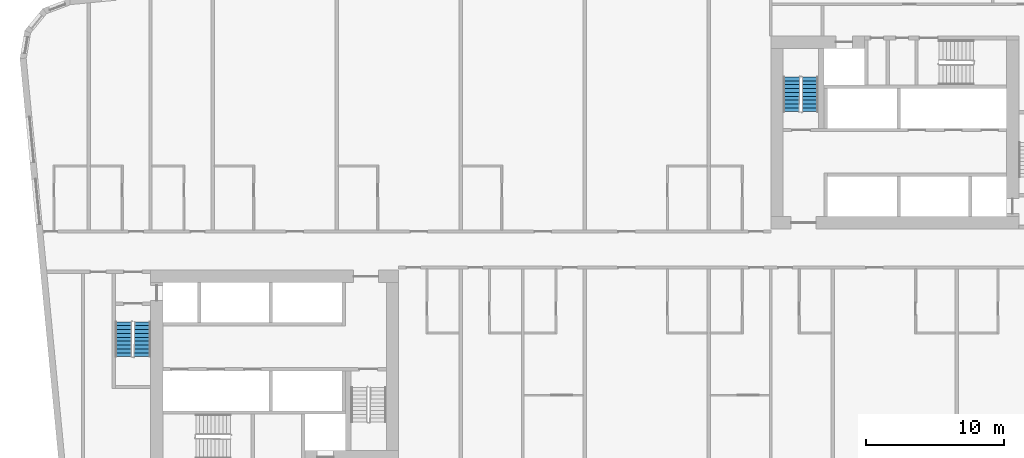
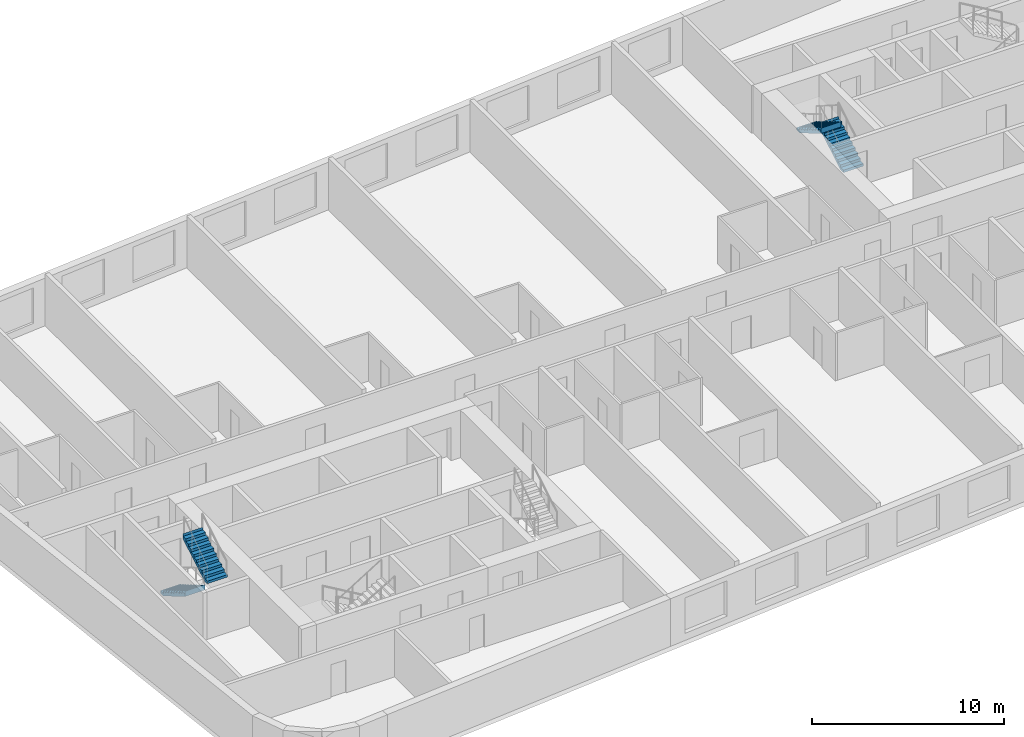
# One storey, part 10 of 12: 4 stair flights, 2 elements without a shape of their own.
"""IFC4 building model written with IfcOpenShell, lengths in metres."""

from ifc_helpers import new_model, si_unit, direction, frame, origin, place, context, subcontext, project, spatial, faceted_brep, material, type_object, element, aggregate, save


model = new_model("IFC4")

# Units and contexts
model_context = context("Model", 3, precision=1e-05, world=origin(), true_north=direction((0.0, 1.0)))
body_context = subcontext(model_context, "Body", "Model", "MODEL_VIEW")
ifc_project = project(units=[si_unit("LENGTHUNIT", "METRE"), si_unit("AREAUNIT", "SQUARE_METRE"), si_unit("VOLUMEUNIT", "CUBIC_METRE"), si_unit("PLANEANGLEUNIT", "RADIAN"), si_unit("MASSUNIT", "GRAM", prefix="KILO")], contexts=[model_context])

# Site, building, storey
site_placement = place(None, origin())
site = spatial("IfcSite", under=ifc_project, at=site_placement, CompositionType="ELEMENT")
building_placement = place(site_placement, origin())
building = spatial("IfcBuilding", under=site, at=building_placement, Name="Kajstack Hotel Tower", CompositionType="ELEMENT")
storey_placement = place(building_placement, frame((0.0, 0.0, 114.10009765625)))
storey = spatial("IfcBuildingStorey", under=building, at=storey_placement, Name="L24", CompositionType="ELEMENT", Elevation=114.10009765625)

# Stair, stair flights
ifc_material = material(Name="Concrete C40/50", Category="concrete")
stair_type = type_object("IfcStairType", Name="Exit stair 1200", PredefinedType="HALF_TURN_STAIR", material=ifc_material)
stair_1_placement = place(storey_placement, origin())
stair_1 = element("IfcStair", 1, at=stair_1_placement, inside=storey, type_object=stair_type, Name="L24 stair W1", PredefinedType="HALF_TURN_STAIR")
stair_flight_type = type_object("IfcStairFlightType", Name="Exit stair flight 1200", PredefinedType="STRAIGHT", material=ifc_material)
stair_flight_1_placement = place(storey_placement, frame((-33.449951171875, -5.25, 0.0), z_axis=(0.0, 0.0, 1.0), x_axis=(0.0, -1.0, 0.0)))
stair_flight_1 = element("IfcStairFlight", 2, at=stair_flight_1_placement, type_object=stair_flight_type, Name="W1 flight 1", NumberOfRisers=10, NumberOfTreads=9, PredefinedType="STRAIGHT", RiserHeight=0.165, TreadLength=0.28, context=body_context, shape_type="Brep", body=[
    faceted_brep([(0.295654296875, -0.60009765625, 0.0), (2.5205078125, -0.60009765625, 1.31103515625), (2.5205078125, -0.60009765625, 1.64990234375), (2.52001953125, -0.60009765625, 1.64990234375), (2.52001953125, -0.60009765625, 1.485107421875), (2.239990234375, -0.60009765625, 1.485107421875), (2.239990234375, -0.60009765625, 1.320068359375), (1.9599609375, -0.60009765625, 1.320068359375), (1.9599609375, -0.60009765625, 1.155029296875), (1.679931640625, -0.60009765625, 1.155029296875), (1.679931640625, -0.60009765625, 0.989990234375), (1.39990234375, -0.60009765625, 0.989990234375), (1.39990234375, -0.60009765625, 0.824951171875), (1.1201171875, -0.60009765625, 0.824951171875), (1.1201171875, -0.60009765625, 0.659912109375), (0.840087890625, -0.60009765625, 0.659912109375), (0.840087890625, -0.60009765625, 0.4951171875), (0.56005859375, -0.60009765625, 0.4951171875), (0.56005859375, -0.60009765625, 0.330078125), (0.280029296875, -0.60009765625, 0.330078125), (0.280029296875, -0.60009765625, 0.1650390625), (-0.00048828125, -0.60009765625, 0.1650390625), (-0.00048828125, -0.60009765625, 0.0), (-0.00048828125, 0.60009765625, 0.0), (-0.00048828125, 0.60009765625, 0.1650390625), (0.280029296875, 0.60009765625, 0.1650390625), (0.280029296875, 0.60009765625, 0.330078125), (0.56005859375, 0.60009765625, 0.330078125), (0.56005859375, 0.60009765625, 0.4951171875), (0.840087890625, 0.60009765625, 0.4951171875), (0.840087890625, 0.60009765625, 0.659912109375), (1.1201171875, 0.60009765625, 0.659912109375), (1.1201171875, 0.60009765625, 0.824951171875), (1.39990234375, 0.60009765625, 0.824951171875), (1.39990234375, 0.60009765625, 0.989990234375), (1.679931640625, 0.60009765625, 0.989990234375), (1.679931640625, 0.60009765625, 1.155029296875), (1.9599609375, 0.60009765625, 1.155029296875), (1.9599609375, 0.60009765625, 1.320068359375), (2.239990234375, 0.60009765625, 1.320068359375), (2.239990234375, 0.60009765625, 1.485107421875), (2.52001953125, 0.60009765625, 1.485107421875), (2.52001953125, 0.60009765625, 1.64990234375), (2.5205078125, 0.60009765625, 1.64990234375), (2.5205078125, 0.60009765625, 1.31103515625), (0.295654296875, 0.60009765625, 0.0), (-0.00048828125, -0.300048828125, 0.1650390625), (-0.00048828125, 0.0, 0.1650390625), (-0.00048828125, 0.300048828125, 0.1650390625), (-0.00048828125, 0.300048828125, 0.0), (-0.00048828125, 0.0, 0.0), (-0.00048828125, -0.300048828125, 0.0), (0.280029296875, -0.300048828125, 0.1650390625), (0.280029296875, 0.0, 0.1650390625), (0.280029296875, 0.300048828125, 0.1650390625), (0.280029296875, -0.300048828125, 0.330078125), (0.280029296875, 0.0, 0.330078125), (0.280029296875, 0.300048828125, 0.330078125), (0.56005859375, -0.300048828125, 0.330078125), (0.56005859375, 0.0, 0.330078125), (0.56005859375, 0.300048828125, 0.330078125), (0.56005859375, -0.300048828125, 0.4951171875), (0.56005859375, 0.0, 0.4951171875), (0.56005859375, 0.300048828125, 0.4951171875), (0.840087890625, -0.300048828125, 0.4951171875), (0.840087890625, 0.0, 0.4951171875), (0.840087890625, 0.300048828125, 0.4951171875), (0.840087890625, -0.300048828125, 0.659912109375), (0.840087890625, 0.0, 0.659912109375), (0.840087890625, 0.300048828125, 0.659912109375), (1.1201171875, -0.300048828125, 0.659912109375), (1.1201171875, 0.0, 0.659912109375), (1.1201171875, 0.300048828125, 0.659912109375), (1.1201171875, -0.300048828125, 0.824951171875), (1.1201171875, 0.0, 0.824951171875), (1.1201171875, 0.300048828125, 0.824951171875), (1.39990234375, -0.300048828125, 0.824951171875), (1.39990234375, 0.0, 0.824951171875), (1.39990234375, 0.300048828125, 0.824951171875), (1.39990234375, -0.300048828125, 0.989990234375), (1.39990234375, 0.0, 0.989990234375), (1.39990234375, 0.300048828125, 0.989990234375), (1.679931640625, -0.300048828125, 0.989990234375), (1.679931640625, 0.0, 0.989990234375), (1.679931640625, 0.300048828125, 0.989990234375), (1.679931640625, -0.300048828125, 1.155029296875), (1.679931640625, 0.0, 1.155029296875), (1.679931640625, 0.300048828125, 1.155029296875), (1.9599609375, -0.300048828125, 1.155029296875), (1.9599609375, 0.0, 1.155029296875), (1.9599609375, 0.300048828125, 1.155029296875), (1.9599609375, -0.300048828125, 1.320068359375), (1.9599609375, 0.0, 1.320068359375), (1.9599609375, 0.300048828125, 1.320068359375), (2.239990234375, -0.300048828125, 1.320068359375), (2.239990234375, 0.0, 1.320068359375), (2.239990234375, 0.300048828125, 1.320068359375), (2.239990234375, -0.300048828125, 1.485107421875), (2.239990234375, 0.0, 1.485107421875), (2.239990234375, 0.300048828125, 1.485107421875), (2.52001953125, -0.300048828125, 1.485107421875), (2.52001953125, 0.0, 1.485107421875), (2.52001953125, 0.300048828125, 1.485107421875), (2.52001953125, -0.300048828125, 1.64990234375), (2.52001953125, 0.0, 1.64990234375), (2.52001953125, 0.300048828125, 1.64990234375), (2.5205078125, -0.300048828125, 1.64990234375), (2.5205078125, 0.0, 1.64990234375), (2.5205078125, 0.300048828125, 1.64990234375), (2.5205078125, -0.300048828125, 1.31103515625), (2.5205078125, 0.0, 1.31103515625), (2.5205078125, 0.300048828125, 1.31103515625), (0.295654296875, -0.300048828125, 0.0), (0.295654296875, 0.0, 0.0), (0.295654296875, 0.300048828125, 0.0)], [[[0, 1, 2, 3, 4, 5, 6, 7, 8, 9, 10, 11, 12, 13, 14, 15, 16, 17, 18, 19, 20, 21, 22]], [[23, 24, 25, 26, 27, 28, 29, 30, 31, 32, 33, 34, 35, 36, 37, 38, 39, 40, 41, 42, 43, 44, 45]], [[21, 46, 47, 48, 24, 23, 49, 50, 51, 22]], [[20, 52, 53, 54, 25, 24, 48, 47, 46, 21]], [[19, 55, 56, 57, 26, 25, 54, 53, 52, 20]], [[18, 58, 59, 60, 27, 26, 57, 56, 55, 19]], [[17, 61, 62, 63, 28, 27, 60, 59, 58, 18]], [[16, 64, 65, 66, 29, 28, 63, 62, 61, 17]], [[15, 67, 68, 69, 30, 29, 66, 65, 64, 16]], [[14, 70, 71, 72, 31, 30, 69, 68, 67, 15]], [[13, 73, 74, 75, 32, 31, 72, 71, 70, 14]], [[12, 76, 77, 78, 33, 32, 75, 74, 73, 13]], [[11, 79, 80, 81, 34, 33, 78, 77, 76, 12]], [[10, 82, 83, 84, 35, 34, 81, 80, 79, 11]], [[9, 85, 86, 87, 36, 35, 84, 83, 82, 10]], [[8, 88, 89, 90, 37, 36, 87, 86, 85, 9]], [[7, 91, 92, 93, 38, 37, 90, 89, 88, 8]], [[6, 94, 95, 96, 39, 38, 93, 92, 91, 7]], [[5, 97, 98, 99, 40, 39, 96, 95, 94, 6]], [[4, 100, 101, 102, 41, 40, 99, 98, 97, 5]], [[3, 103, 104, 105, 42, 41, 102, 101, 100, 4]], [[2, 106, 107, 108, 43, 42, 105, 104, 103, 3]], [[1, 109, 110, 111, 44, 43, 108, 107, 106, 2]], [[0, 112, 113, 114, 45, 44, 111, 110, 109, 1]], [[22, 51, 50, 49, 23, 45, 114, 113, 112, 0]]]),
])
stair_flight_2_placement = place(storey_placement, frame((-32.10009765625, -7.77001953125, 1.64990234375), z_axis=(0.0, 0.0, 1.0), x_axis=(0.0, 1.0, 0.0)))
stair_flight_2 = element("IfcStairFlight", 3, at=stair_flight_2_placement, type_object=stair_flight_type, Name="W1 flight 2", NumberOfRisers=10, NumberOfTreads=9, PredefinedType="STRAIGHT", RiserHeight=0.165, TreadLength=0.28, context=body_context, shape_type="Brep", body=[
    faceted_brep([(0.295654296875, -0.60009765625, 0.0), (2.5205078125, -0.60009765625, 1.31103515625), (2.5205078125, -0.60009765625, 1.64990234375), (2.52001953125, -0.60009765625, 1.64990234375), (2.52001953125, -0.60009765625, 1.485107421875), (2.239990234375, -0.60009765625, 1.485107421875), (2.239990234375, -0.60009765625, 1.320068359375), (1.9599609375, -0.60009765625, 1.320068359375), (1.9599609375, -0.60009765625, 1.155029296875), (1.679931640625, -0.60009765625, 1.155029296875), (1.679931640625, -0.60009765625, 0.989990234375), (1.39990234375, -0.60009765625, 0.989990234375), (1.39990234375, -0.60009765625, 0.824951171875), (1.1201171875, -0.60009765625, 0.824951171875), (1.1201171875, -0.60009765625, 0.659912109375), (0.840087890625, -0.60009765625, 0.659912109375), (0.840087890625, -0.60009765625, 0.4951171875), (0.56005859375, -0.60009765625, 0.4951171875), (0.56005859375, -0.60009765625, 0.330078125), (0.280029296875, -0.60009765625, 0.330078125), (0.280029296875, -0.60009765625, 0.1650390625), (-0.00048828125, -0.60009765625, 0.1650390625), (-0.00048828125, -0.60009765625, 0.0), (-0.00048828125, 0.60009765625, 0.0), (-0.00048828125, 0.60009765625, 0.1650390625), (0.280029296875, 0.60009765625, 0.1650390625), (0.280029296875, 0.60009765625, 0.330078125), (0.56005859375, 0.60009765625, 0.330078125), (0.56005859375, 0.60009765625, 0.4951171875), (0.840087890625, 0.60009765625, 0.4951171875), (0.840087890625, 0.60009765625, 0.659912109375), (1.1201171875, 0.60009765625, 0.659912109375), (1.1201171875, 0.60009765625, 0.824951171875), (1.39990234375, 0.60009765625, 0.824951171875), (1.39990234375, 0.60009765625, 0.989990234375), (1.679931640625, 0.60009765625, 0.989990234375), (1.679931640625, 0.60009765625, 1.155029296875), (1.9599609375, 0.60009765625, 1.155029296875), (1.9599609375, 0.60009765625, 1.320068359375), (2.239990234375, 0.60009765625, 1.320068359375), (2.239990234375, 0.60009765625, 1.485107421875), (2.52001953125, 0.60009765625, 1.485107421875), (2.52001953125, 0.60009765625, 1.64990234375), (2.5205078125, 0.60009765625, 1.64990234375), (2.5205078125, 0.60009765625, 1.31103515625), (0.295654296875, 0.60009765625, 0.0), (-0.00048828125, -0.300048828125, 0.1650390625), (-0.00048828125, 0.0, 0.1650390625), (-0.00048828125, 0.300048828125, 0.1650390625), (-0.00048828125, 0.300048828125, 0.0), (-0.00048828125, 0.0, 0.0), (-0.00048828125, -0.300048828125, 0.0), (0.280029296875, -0.300048828125, 0.1650390625), (0.280029296875, 0.0, 0.1650390625), (0.280029296875, 0.300048828125, 0.1650390625), (0.280029296875, -0.300048828125, 0.330078125), (0.280029296875, 0.0, 0.330078125), (0.280029296875, 0.300048828125, 0.330078125), (0.56005859375, -0.300048828125, 0.330078125), (0.56005859375, 0.0, 0.330078125), (0.56005859375, 0.300048828125, 0.330078125), (0.56005859375, -0.300048828125, 0.4951171875), (0.56005859375, 0.0, 0.4951171875), (0.56005859375, 0.300048828125, 0.4951171875), (0.840087890625, -0.300048828125, 0.4951171875), (0.840087890625, 0.0, 0.4951171875), (0.840087890625, 0.300048828125, 0.4951171875), (0.840087890625, -0.300048828125, 0.659912109375), (0.840087890625, 0.0, 0.659912109375), (0.840087890625, 0.300048828125, 0.659912109375), (1.1201171875, -0.300048828125, 0.659912109375), (1.1201171875, 0.0, 0.659912109375), (1.1201171875, 0.300048828125, 0.659912109375), (1.1201171875, -0.300048828125, 0.824951171875), (1.1201171875, 0.0, 0.824951171875), (1.1201171875, 0.300048828125, 0.824951171875), (1.39990234375, -0.300048828125, 0.824951171875), (1.39990234375, 0.0, 0.824951171875), (1.39990234375, 0.300048828125, 0.824951171875), (1.39990234375, -0.300048828125, 0.989990234375), (1.39990234375, 0.0, 0.989990234375), (1.39990234375, 0.300048828125, 0.989990234375), (1.679931640625, -0.300048828125, 0.989990234375), (1.679931640625, 0.0, 0.989990234375), (1.679931640625, 0.300048828125, 0.989990234375), (1.679931640625, -0.300048828125, 1.155029296875), (1.679931640625, 0.0, 1.155029296875), (1.679931640625, 0.300048828125, 1.155029296875), (1.9599609375, -0.300048828125, 1.155029296875), (1.9599609375, 0.0, 1.155029296875), (1.9599609375, 0.300048828125, 1.155029296875), (1.9599609375, -0.300048828125, 1.320068359375), (1.9599609375, 0.0, 1.320068359375), (1.9599609375, 0.300048828125, 1.320068359375), (2.239990234375, -0.300048828125, 1.320068359375), (2.239990234375, 0.0, 1.320068359375), (2.239990234375, 0.300048828125, 1.320068359375), (2.239990234375, -0.300048828125, 1.485107421875), (2.239990234375, 0.0, 1.485107421875), (2.239990234375, 0.300048828125, 1.485107421875), (2.52001953125, -0.300048828125, 1.485107421875), (2.52001953125, 0.0, 1.485107421875), (2.52001953125, 0.300048828125, 1.485107421875), (2.52001953125, -0.300048828125, 1.64990234375), (2.52001953125, 0.0, 1.64990234375), (2.52001953125, 0.300048828125, 1.64990234375), (2.5205078125, -0.300048828125, 1.64990234375), (2.5205078125, 0.0, 1.64990234375), (2.5205078125, 0.300048828125, 1.64990234375), (2.5205078125, -0.300048828125, 1.31103515625), (2.5205078125, 0.0, 1.31103515625), (2.5205078125, 0.300048828125, 1.31103515625), (0.295654296875, -0.300048828125, 0.0), (0.295654296875, 0.0, 0.0), (0.295654296875, 0.300048828125, 0.0)], [[[0, 1, 2, 3, 4, 5, 6, 7, 8, 9, 10, 11, 12, 13, 14, 15, 16, 17, 18, 19, 20, 21, 22]], [[23, 24, 25, 26, 27, 28, 29, 30, 31, 32, 33, 34, 35, 36, 37, 38, 39, 40, 41, 42, 43, 44, 45]], [[21, 46, 47, 48, 24, 23, 49, 50, 51, 22]], [[20, 52, 53, 54, 25, 24, 48, 47, 46, 21]], [[19, 55, 56, 57, 26, 25, 54, 53, 52, 20]], [[18, 58, 59, 60, 27, 26, 57, 56, 55, 19]], [[17, 61, 62, 63, 28, 27, 60, 59, 58, 18]], [[16, 64, 65, 66, 29, 28, 63, 62, 61, 17]], [[15, 67, 68, 69, 30, 29, 66, 65, 64, 16]], [[14, 70, 71, 72, 31, 30, 69, 68, 67, 15]], [[13, 73, 74, 75, 32, 31, 72, 71, 70, 14]], [[12, 76, 77, 78, 33, 32, 75, 74, 73, 13]], [[11, 79, 80, 81, 34, 33, 78, 77, 76, 12]], [[10, 82, 83, 84, 35, 34, 81, 80, 79, 11]], [[9, 85, 86, 87, 36, 35, 84, 83, 82, 10]], [[8, 88, 89, 90, 37, 36, 87, 86, 85, 9]], [[7, 91, 92, 93, 38, 37, 90, 89, 88, 8]], [[6, 94, 95, 96, 39, 38, 93, 92, 91, 7]], [[5, 97, 98, 99, 40, 39, 96, 95, 94, 6]], [[4, 100, 101, 102, 41, 40, 99, 98, 97, 5]], [[3, 103, 104, 105, 42, 41, 102, 101, 100, 4]], [[2, 106, 107, 108, 43, 42, 105, 104, 103, 3]], [[1, 109, 110, 111, 44, 43, 108, 107, 106, 2]], [[0, 112, 113, 114, 45, 44, 111, 110, 109, 1]], [[22, 51, 50, 49, 23, 45, 114, 113, 112, 0]]]),
])
aggregate(stair_1, [stair_flight_1, stair_flight_2])

stair_2_placement = place(storey_placement, origin())
stair_2 = element("IfcStair", 4, at=stair_2_placement, inside=storey, type_object=stair_type, Name="L24 stair E2", PredefinedType="HALF_TURN_STAIR")
stair_flight_3_placement = place(storey_placement, frame((16.35009765625, 10.0, 0.0), z_axis=(0.0, 0.0, 1.0), x_axis=(0.0, 1.0, 0.0)))
stair_flight_3 = element("IfcStairFlight", 5, at=stair_flight_3_placement, type_object=stair_flight_type, Name="E2 flight 1", NumberOfRisers=10, NumberOfTreads=9, PredefinedType="STRAIGHT", RiserHeight=0.165, TreadLength=0.28, context=body_context, shape_type="Brep", body=[
    faceted_brep([(0.295654296875, -0.60009765625, 0.0), (2.5205078125, -0.60009765625, 1.31103515625), (2.5205078125, -0.60009765625, 1.64990234375), (2.52001953125, -0.60009765625, 1.64990234375), (2.52001953125, -0.60009765625, 1.485107421875), (2.239990234375, -0.60009765625, 1.485107421875), (2.239990234375, -0.60009765625, 1.320068359375), (1.9599609375, -0.60009765625, 1.320068359375), (1.9599609375, -0.60009765625, 1.155029296875), (1.679931640625, -0.60009765625, 1.155029296875), (1.679931640625, -0.60009765625, 0.989990234375), (1.39990234375, -0.60009765625, 0.989990234375), (1.39990234375, -0.60009765625, 0.824951171875), (1.1201171875, -0.60009765625, 0.824951171875), (1.1201171875, -0.60009765625, 0.659912109375), (0.840087890625, -0.60009765625, 0.659912109375), (0.840087890625, -0.60009765625, 0.4951171875), (0.56005859375, -0.60009765625, 0.4951171875), (0.56005859375, -0.60009765625, 0.330078125), (0.280029296875, -0.60009765625, 0.330078125), (0.280029296875, -0.60009765625, 0.1650390625), (-0.00048828125, -0.60009765625, 0.1650390625), (-0.00048828125, -0.60009765625, 0.0), (-0.00048828125, 0.60009765625, 0.0), (-0.00048828125, 0.60009765625, 0.1650390625), (0.280029296875, 0.60009765625, 0.1650390625), (0.280029296875, 0.60009765625, 0.330078125), (0.56005859375, 0.60009765625, 0.330078125), (0.56005859375, 0.60009765625, 0.4951171875), (0.840087890625, 0.60009765625, 0.4951171875), (0.840087890625, 0.60009765625, 0.659912109375), (1.1201171875, 0.60009765625, 0.659912109375), (1.1201171875, 0.60009765625, 0.824951171875), (1.39990234375, 0.60009765625, 0.824951171875), (1.39990234375, 0.60009765625, 0.989990234375), (1.679931640625, 0.60009765625, 0.989990234375), (1.679931640625, 0.60009765625, 1.155029296875), (1.9599609375, 0.60009765625, 1.155029296875), (1.9599609375, 0.60009765625, 1.320068359375), (2.239990234375, 0.60009765625, 1.320068359375), (2.239990234375, 0.60009765625, 1.485107421875), (2.52001953125, 0.60009765625, 1.485107421875), (2.52001953125, 0.60009765625, 1.64990234375), (2.5205078125, 0.60009765625, 1.64990234375), (2.5205078125, 0.60009765625, 1.31103515625), (0.295654296875, 0.60009765625, 0.0), (-0.00048828125, -0.300048828125, 0.1650390625), (-0.00048828125, 0.0, 0.1650390625), (-0.00048828125, 0.300048828125, 0.1650390625), (-0.00048828125, 0.300048828125, 0.0), (-0.00048828125, 0.0, 0.0), (-0.00048828125, -0.300048828125, 0.0), (0.280029296875, -0.300048828125, 0.1650390625), (0.280029296875, 0.0, 0.1650390625), (0.280029296875, 0.300048828125, 0.1650390625), (0.280029296875, -0.300048828125, 0.330078125), (0.280029296875, 0.0, 0.330078125), (0.280029296875, 0.300048828125, 0.330078125), (0.56005859375, -0.300048828125, 0.330078125), (0.56005859375, 0.0, 0.330078125), (0.56005859375, 0.300048828125, 0.330078125), (0.56005859375, -0.300048828125, 0.4951171875), (0.56005859375, 0.0, 0.4951171875), (0.56005859375, 0.300048828125, 0.4951171875), (0.840087890625, -0.300048828125, 0.4951171875), (0.840087890625, 0.0, 0.4951171875), (0.840087890625, 0.300048828125, 0.4951171875), (0.840087890625, -0.300048828125, 0.659912109375), (0.840087890625, 0.0, 0.659912109375), (0.840087890625, 0.300048828125, 0.659912109375), (1.1201171875, -0.300048828125, 0.659912109375), (1.1201171875, 0.0, 0.659912109375), (1.1201171875, 0.300048828125, 0.659912109375), (1.1201171875, -0.300048828125, 0.824951171875), (1.1201171875, 0.0, 0.824951171875), (1.1201171875, 0.300048828125, 0.824951171875), (1.39990234375, -0.300048828125, 0.824951171875), (1.39990234375, 0.0, 0.824951171875), (1.39990234375, 0.300048828125, 0.824951171875), (1.39990234375, -0.300048828125, 0.989990234375), (1.39990234375, 0.0, 0.989990234375), (1.39990234375, 0.300048828125, 0.989990234375), (1.679931640625, -0.300048828125, 0.989990234375), (1.679931640625, 0.0, 0.989990234375), (1.679931640625, 0.300048828125, 0.989990234375), (1.679931640625, -0.300048828125, 1.155029296875), (1.679931640625, 0.0, 1.155029296875), (1.679931640625, 0.300048828125, 1.155029296875), (1.9599609375, -0.300048828125, 1.155029296875), (1.9599609375, 0.0, 1.155029296875), (1.9599609375, 0.300048828125, 1.155029296875), (1.9599609375, -0.300048828125, 1.320068359375), (1.9599609375, 0.0, 1.320068359375), (1.9599609375, 0.300048828125, 1.320068359375), (2.239990234375, -0.300048828125, 1.320068359375), (2.239990234375, 0.0, 1.320068359375), (2.239990234375, 0.300048828125, 1.320068359375), (2.239990234375, -0.300048828125, 1.485107421875), (2.239990234375, 0.0, 1.485107421875), (2.239990234375, 0.300048828125, 1.485107421875), (2.52001953125, -0.300048828125, 1.485107421875), (2.52001953125, 0.0, 1.485107421875), (2.52001953125, 0.300048828125, 1.485107421875), (2.52001953125, -0.300048828125, 1.64990234375), (2.52001953125, 0.0, 1.64990234375), (2.52001953125, 0.300048828125, 1.64990234375), (2.5205078125, -0.300048828125, 1.64990234375), (2.5205078125, 0.0, 1.64990234375), (2.5205078125, 0.300048828125, 1.64990234375), (2.5205078125, -0.300048828125, 1.31103515625), (2.5205078125, 0.0, 1.31103515625), (2.5205078125, 0.300048828125, 1.31103515625), (0.295654296875, -0.300048828125, 0.0), (0.295654296875, 0.0, 0.0), (0.295654296875, 0.300048828125, 0.0)], [[[0, 1, 2, 3, 4, 5, 6, 7, 8, 9, 10, 11, 12, 13, 14, 15, 16, 17, 18, 19, 20, 21, 22]], [[23, 24, 25, 26, 27, 28, 29, 30, 31, 32, 33, 34, 35, 36, 37, 38, 39, 40, 41, 42, 43, 44, 45]], [[21, 46, 47, 48, 24, 23, 49, 50, 51, 22]], [[20, 52, 53, 54, 25, 24, 48, 47, 46, 21]], [[19, 55, 56, 57, 26, 25, 54, 53, 52, 20]], [[18, 58, 59, 60, 27, 26, 57, 56, 55, 19]], [[17, 61, 62, 63, 28, 27, 60, 59, 58, 18]], [[16, 64, 65, 66, 29, 28, 63, 62, 61, 17]], [[15, 67, 68, 69, 30, 29, 66, 65, 64, 16]], [[14, 70, 71, 72, 31, 30, 69, 68, 67, 15]], [[13, 73, 74, 75, 32, 31, 72, 71, 70, 14]], [[12, 76, 77, 78, 33, 32, 75, 74, 73, 13]], [[11, 79, 80, 81, 34, 33, 78, 77, 76, 12]], [[10, 82, 83, 84, 35, 34, 81, 80, 79, 11]], [[9, 85, 86, 87, 36, 35, 84, 83, 82, 10]], [[8, 88, 89, 90, 37, 36, 87, 86, 85, 9]], [[7, 91, 92, 93, 38, 37, 90, 89, 88, 8]], [[6, 94, 95, 96, 39, 38, 93, 92, 91, 7]], [[5, 97, 98, 99, 40, 39, 96, 95, 94, 6]], [[4, 100, 101, 102, 41, 40, 99, 98, 97, 5]], [[3, 103, 104, 105, 42, 41, 102, 101, 100, 4]], [[2, 106, 107, 108, 43, 42, 105, 104, 103, 3]], [[1, 109, 110, 111, 44, 43, 108, 107, 106, 2]], [[0, 112, 113, 114, 45, 44, 111, 110, 109, 1]], [[22, 51, 50, 49, 23, 45, 114, 113, 112, 0]]]),
])
stair_flight_4_placement = place(storey_placement, frame((15.0, 12.52001953125, 1.64990234375), z_axis=(0.0, 0.0, 1.0), x_axis=(0.0, -1.0, 0.0)))
stair_flight_4 = element("IfcStairFlight", 6, at=stair_flight_4_placement, type_object=stair_flight_type, Name="E2 flight 2", NumberOfRisers=10, NumberOfTreads=9, PredefinedType="STRAIGHT", RiserHeight=0.165, TreadLength=0.28, context=body_context, shape_type="Brep", body=[
    faceted_brep([(0.295654296875, -0.60009765625, 0.0), (2.5205078125, -0.60009765625, 1.31103515625), (2.5205078125, -0.60009765625, 1.64990234375), (2.52001953125, -0.60009765625, 1.64990234375), (2.52001953125, -0.60009765625, 1.485107421875), (2.239990234375, -0.60009765625, 1.485107421875), (2.239990234375, -0.60009765625, 1.320068359375), (1.9599609375, -0.60009765625, 1.320068359375), (1.9599609375, -0.60009765625, 1.155029296875), (1.679931640625, -0.60009765625, 1.155029296875), (1.679931640625, -0.60009765625, 0.989990234375), (1.39990234375, -0.60009765625, 0.989990234375), (1.39990234375, -0.60009765625, 0.824951171875), (1.1201171875, -0.60009765625, 0.824951171875), (1.1201171875, -0.60009765625, 0.659912109375), (0.840087890625, -0.60009765625, 0.659912109375), (0.840087890625, -0.60009765625, 0.4951171875), (0.56005859375, -0.60009765625, 0.4951171875), (0.56005859375, -0.60009765625, 0.330078125), (0.280029296875, -0.60009765625, 0.330078125), (0.280029296875, -0.60009765625, 0.1650390625), (-0.00048828125, -0.60009765625, 0.1650390625), (-0.00048828125, -0.60009765625, 0.0), (-0.00048828125, 0.60009765625, 0.0), (-0.00048828125, 0.60009765625, 0.1650390625), (0.280029296875, 0.60009765625, 0.1650390625), (0.280029296875, 0.60009765625, 0.330078125), (0.56005859375, 0.60009765625, 0.330078125), (0.56005859375, 0.60009765625, 0.4951171875), (0.840087890625, 0.60009765625, 0.4951171875), (0.840087890625, 0.60009765625, 0.659912109375), (1.1201171875, 0.60009765625, 0.659912109375), (1.1201171875, 0.60009765625, 0.824951171875), (1.39990234375, 0.60009765625, 0.824951171875), (1.39990234375, 0.60009765625, 0.989990234375), (1.679931640625, 0.60009765625, 0.989990234375), (1.679931640625, 0.60009765625, 1.155029296875), (1.9599609375, 0.60009765625, 1.155029296875), (1.9599609375, 0.60009765625, 1.320068359375), (2.239990234375, 0.60009765625, 1.320068359375), (2.239990234375, 0.60009765625, 1.485107421875), (2.52001953125, 0.60009765625, 1.485107421875), (2.52001953125, 0.60009765625, 1.64990234375), (2.5205078125, 0.60009765625, 1.64990234375), (2.5205078125, 0.60009765625, 1.31103515625), (0.295654296875, 0.60009765625, 0.0), (-0.00048828125, -0.300048828125, 0.1650390625), (-0.00048828125, 0.0, 0.1650390625), (-0.00048828125, 0.300048828125, 0.1650390625), (-0.00048828125, 0.300048828125, 0.0), (-0.00048828125, 0.0, 0.0), (-0.00048828125, -0.300048828125, 0.0), (0.280029296875, -0.300048828125, 0.1650390625), (0.280029296875, 0.0, 0.1650390625), (0.280029296875, 0.300048828125, 0.1650390625), (0.280029296875, -0.300048828125, 0.330078125), (0.280029296875, 0.0, 0.330078125), (0.280029296875, 0.300048828125, 0.330078125), (0.56005859375, -0.300048828125, 0.330078125), (0.56005859375, 0.0, 0.330078125), (0.56005859375, 0.300048828125, 0.330078125), (0.56005859375, -0.300048828125, 0.4951171875), (0.56005859375, 0.0, 0.4951171875), (0.56005859375, 0.300048828125, 0.4951171875), (0.840087890625, -0.300048828125, 0.4951171875), (0.840087890625, 0.0, 0.4951171875), (0.840087890625, 0.300048828125, 0.4951171875), (0.840087890625, -0.300048828125, 0.659912109375), (0.840087890625, 0.0, 0.659912109375), (0.840087890625, 0.300048828125, 0.659912109375), (1.1201171875, -0.300048828125, 0.659912109375), (1.1201171875, 0.0, 0.659912109375), (1.1201171875, 0.300048828125, 0.659912109375), (1.1201171875, -0.300048828125, 0.824951171875), (1.1201171875, 0.0, 0.824951171875), (1.1201171875, 0.300048828125, 0.824951171875), (1.39990234375, -0.300048828125, 0.824951171875), (1.39990234375, 0.0, 0.824951171875), (1.39990234375, 0.300048828125, 0.824951171875), (1.39990234375, -0.300048828125, 0.989990234375), (1.39990234375, 0.0, 0.989990234375), (1.39990234375, 0.300048828125, 0.989990234375), (1.679931640625, -0.300048828125, 0.989990234375), (1.679931640625, 0.0, 0.989990234375), (1.679931640625, 0.300048828125, 0.989990234375), (1.679931640625, -0.300048828125, 1.155029296875), (1.679931640625, 0.0, 1.155029296875), (1.679931640625, 0.300048828125, 1.155029296875), (1.9599609375, -0.300048828125, 1.155029296875), (1.9599609375, 0.0, 1.155029296875), (1.9599609375, 0.300048828125, 1.155029296875), (1.9599609375, -0.300048828125, 1.320068359375), (1.9599609375, 0.0, 1.320068359375), (1.9599609375, 0.300048828125, 1.320068359375), (2.239990234375, -0.300048828125, 1.320068359375), (2.239990234375, 0.0, 1.320068359375), (2.239990234375, 0.300048828125, 1.320068359375), (2.239990234375, -0.300048828125, 1.485107421875), (2.239990234375, 0.0, 1.485107421875), (2.239990234375, 0.300048828125, 1.485107421875), (2.52001953125, -0.300048828125, 1.485107421875), (2.52001953125, 0.0, 1.485107421875), (2.52001953125, 0.300048828125, 1.485107421875), (2.52001953125, -0.300048828125, 1.64990234375), (2.52001953125, 0.0, 1.64990234375), (2.52001953125, 0.300048828125, 1.64990234375), (2.5205078125, -0.300048828125, 1.64990234375), (2.5205078125, 0.0, 1.64990234375), (2.5205078125, 0.300048828125, 1.64990234375), (2.5205078125, -0.300048828125, 1.31103515625), (2.5205078125, 0.0, 1.31103515625), (2.5205078125, 0.300048828125, 1.31103515625), (0.295654296875, -0.300048828125, 0.0), (0.295654296875, 0.0, 0.0), (0.295654296875, 0.300048828125, 0.0)], [[[0, 1, 2, 3, 4, 5, 6, 7, 8, 9, 10, 11, 12, 13, 14, 15, 16, 17, 18, 19, 20, 21, 22]], [[23, 24, 25, 26, 27, 28, 29, 30, 31, 32, 33, 34, 35, 36, 37, 38, 39, 40, 41, 42, 43, 44, 45]], [[21, 46, 47, 48, 24, 23, 49, 50, 51, 22]], [[20, 52, 53, 54, 25, 24, 48, 47, 46, 21]], [[19, 55, 56, 57, 26, 25, 54, 53, 52, 20]], [[18, 58, 59, 60, 27, 26, 57, 56, 55, 19]], [[17, 61, 62, 63, 28, 27, 60, 59, 58, 18]], [[16, 64, 65, 66, 29, 28, 63, 62, 61, 17]], [[15, 67, 68, 69, 30, 29, 66, 65, 64, 16]], [[14, 70, 71, 72, 31, 30, 69, 68, 67, 15]], [[13, 73, 74, 75, 32, 31, 72, 71, 70, 14]], [[12, 76, 77, 78, 33, 32, 75, 74, 73, 13]], [[11, 79, 80, 81, 34, 33, 78, 77, 76, 12]], [[10, 82, 83, 84, 35, 34, 81, 80, 79, 11]], [[9, 85, 86, 87, 36, 35, 84, 83, 82, 10]], [[8, 88, 89, 90, 37, 36, 87, 86, 85, 9]], [[7, 91, 92, 93, 38, 37, 90, 89, 88, 8]], [[6, 94, 95, 96, 39, 38, 93, 92, 91, 7]], [[5, 97, 98, 99, 40, 39, 96, 95, 94, 6]], [[4, 100, 101, 102, 41, 40, 99, 98, 97, 5]], [[3, 103, 104, 105, 42, 41, 102, 101, 100, 4]], [[2, 106, 107, 108, 43, 42, 105, 104, 103, 3]], [[1, 109, 110, 111, 44, 43, 108, 107, 106, 2]], [[0, 112, 113, 114, 45, 44, 111, 110, 109, 1]], [[22, 51, 50, 49, 23, 45, 114, 113, 112, 0]]]),
])
aggregate(stair_2, [stair_flight_3, stair_flight_4])

save(model, "model.ifc")
